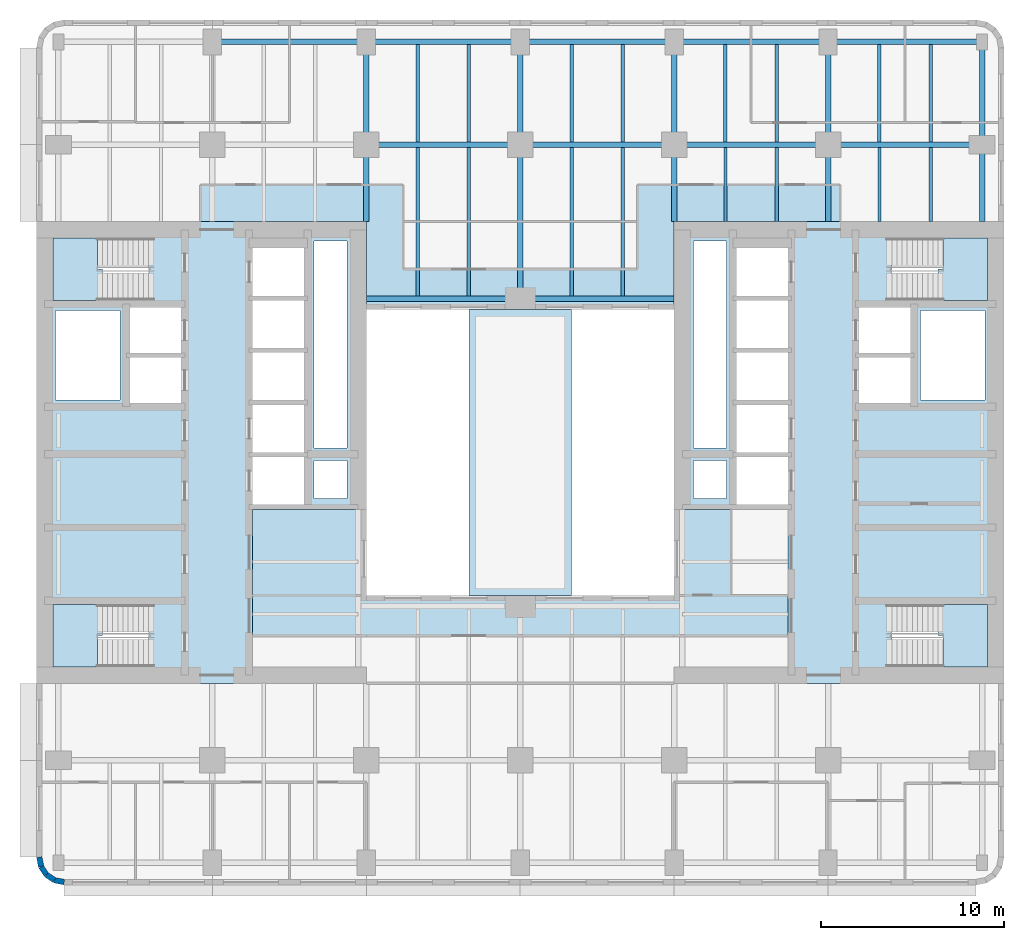
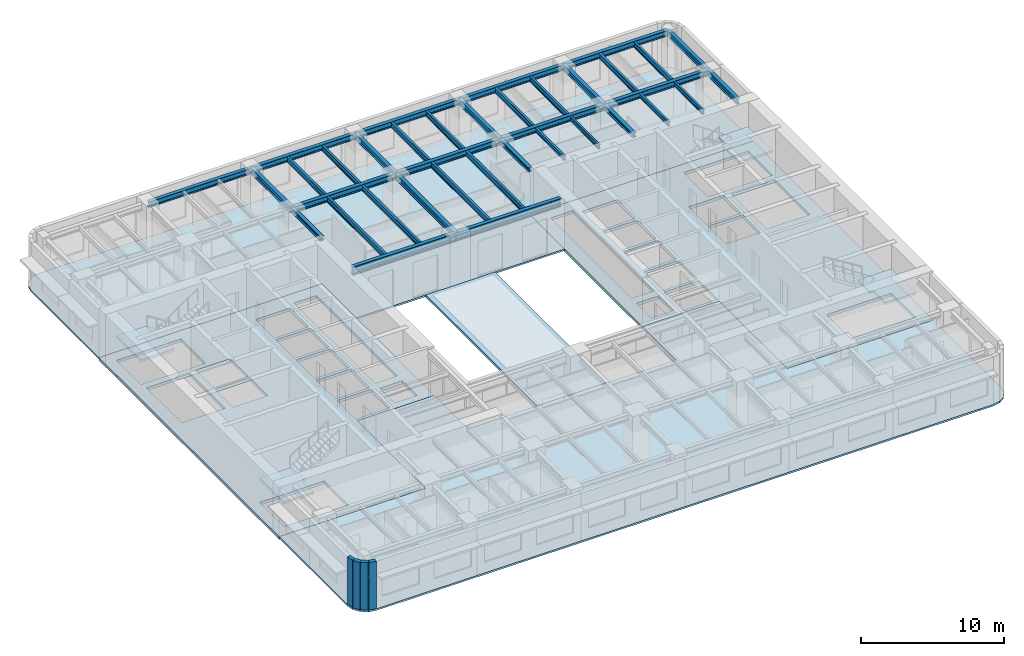
# One storey, part 2 of 14: 37 beams, 9 slabs, 4 walls, 4 elements without a shape of their own.
"""IFC4 building model written with IfcOpenShell, lengths in metres."""

from ifc_helpers import new_model, si_unit, direction, frame, frame_2d, origin, origin_2d, place, context, subcontext, project, spatial, polyline, rectangle, i_section, outline, extrude, material, layer, layer_set, material_profile, profile_set, type_object, element, aggregate, save


model = new_model("IFC4")

# Units and contexts
model_context = context("Model", 3, precision=1e-05, world=origin(), true_north=direction((0.0, 1.0)))
body_context = subcontext(model_context, "Body", "Model", "MODEL_VIEW")
ifc_project = project(units=[si_unit("LENGTHUNIT", "METRE"), si_unit("AREAUNIT", "SQUARE_METRE"), si_unit("VOLUMEUNIT", "CUBIC_METRE"), si_unit("PLANEANGLEUNIT", "RADIAN"), si_unit("MASSUNIT", "GRAM", prefix="KILO")], contexts=[model_context])

# Site, building, storey
site_placement = place(None, origin())
site = spatial("IfcSite", under=ifc_project, at=site_placement, CompositionType="ELEMENT")
building_placement = place(site_placement, origin())
building = spatial("IfcBuilding", under=site, at=building_placement, Name="Claustro Exchange Tower", CompositionType="ELEMENT")
storey_placement = place(building_placement, frame((0.0, 0.0, 100.800048828125)))
storey = spatial("IfcBuildingStorey", under=building, at=storey_placement, Name="L22", CompositionType="ELEMENT", Elevation=100.800048828125)

# Beams
ifc_material_1 = material(Name="Steel S355", Category="steel")
ifc_material_profile_1 = material_profile(ifc_material_1, i_section(OverallWidth=0.300048828125, OverallDepth=0.68994140625, WebThickness=0.014404296875, FlangeThickness=0.027099609375, FilletRadius=0.027099609375, at=origin_2d()), Name="HE 700 A")
ifc_profile_set_1 = profile_set([ifc_material_profile_1], Name="Steel S355")
beam_type_1 = type_object("IfcBeamType", Name="B13 HE 700 A light well edge girder", PredefinedType="BEAM", material=ifc_profile_set_1)
beam_1_placement = place(storey_placement, frame((16.800048828125, 33.60009765625, 3.704833984375), z_axis=(1.0, 0.0, 0.0), x_axis=(0.0, 1.0, 0.0)))
element("IfcBeam", 1, at=beam_1_placement, inside=storey, type_object=beam_type_1, Name="Beam B13 L23", PredefinedType="BEAM", context=body_context, shape_type="SweptSolid", body=[
    extrude(i_section(OverallWidth=0.300048828125, OverallDepth=0.68994140625, WebThickness=0.014404296875, FlangeThickness=0.027099609375, FilletRadius=0.027099609375, at=origin_2d()), origin(), (0.0, 0.0, 1.0), 8.39990234375),
])
beam_2_placement = place(storey_placement, frame((25.199951171875, 33.60009765625, 3.704833984375), z_axis=(1.0, 0.0, 0.0), x_axis=(0.0, 1.0, 0.0)))
element("IfcBeam", 2, at=beam_2_placement, inside=storey, type_object=beam_type_1, Name="Beam B13 L23", PredefinedType="BEAM", context=body_context, shape_type="SweptSolid", body=[
    extrude(i_section(OverallWidth=0.300048828125, OverallDepth=0.68994140625, WebThickness=0.014404296875, FlangeThickness=0.027099609375, FilletRadius=0.027099609375, at=origin_2d()), origin(), (0.0, 0.0, 1.0), 8.400146484375),
])
ifc_material_2 = material(Name="Steel S355", Category="steel")
ifc_material_profile_2 = material_profile(ifc_material_2, i_section(OverallWidth=0.169921875, OverallDepth=0.360107421875, WebThickness=0.008056640625, FlangeThickness=0.0126953125, FilletRadius=0.01806640625, at=origin_2d()), Name="IPE 360")
ifc_profile_set_2 = profile_set([ifc_material_profile_2], Name="Steel S355")
beam_type_2 = type_object("IfcBeamType", Name="B16 IPE 360 short-span beam", PredefinedType="BEAM", material=ifc_profile_set_2)
for number, where, z_axis, x_axis, name in (
    (3, (36.39990234375, 37.7900390625, 3.869873046875), (0.0, 1.0, 0.0), (-1.0, 0.0, 0.0), "Beam B16 L23"),
    (4, (39.199951171875, 37.7900390625, 3.869873046875), (0.0, 1.0, 0.0), (-1.0, 0.0, 0.0), "Beam B16 L23"),
    (5, (44.800048828125, 37.7900390625, 3.869873046875), (0.0, 1.0, 0.0), (-1.0, 0.0, 0.0), "Beam B16 L23"),
    (6, (47.60009765625, 37.7900390625, 3.869873046875), (0.0, 1.0, 0.0), (-1.0, 0.0, 0.0), "Beam B16 L23"),
):
    element("IfcBeam", number, at=place(storey_placement, frame(where, z_axis=z_axis, x_axis=x_axis)), inside=storey, type_object=beam_type_2, Name=name, PredefinedType="BEAM", context=body_context, shape_type="SweptSolid", body=[
        extrude(i_section(OverallWidth=0.169921875, OverallDepth=0.360107421875, WebThickness=0.008056640625, FlangeThickness=0.0126953125, FilletRadius=0.01806640625, at=origin_2d()), origin(), (0.0, 0.0, 1.0), 4.06005859375),
    ])
ifc_material_3 = material(Name="Steel S355", Category="steel")
ifc_material_profile_3 = material_profile(ifc_material_3, i_section(OverallWidth=0.300048828125, OverallDepth=0.360107421875, WebThickness=0.012451171875, FlangeThickness=0.0224609375, FilletRadius=0.027099609375, at=origin_2d()), Name="HE 360 B")
ifc_profile_set_3 = profile_set([ifc_material_profile_3], Name="Steel S355")
beam_type_3 = type_object("IfcBeamType", Name="B29 HE 360 B column to core link beam", PredefinedType="BEAM", material=ifc_profile_set_3)
for number, where, z_axis, x_axis, name in (
    (7, (16.800048828125, 37.800048828125, 3.869873046875), (0.0, 1.0, 0.0), (-1.0, 0.0, 0.0), "Beam B29 L23"),
    (8, (33.60009765625, 37.800048828125, 3.869873046875), (0.0, 1.0, 0.0), (-1.0, 0.0, 0.0), "Beam B29 L23"),
    (9, (42.0, 37.800048828125, 3.869873046875), (0.0, 1.0, 0.0), (-1.0, 0.0, 0.0), "Beam B29 L23"),
):
    element("IfcBeam", number, at=place(storey_placement, frame(where, z_axis=z_axis, x_axis=x_axis)), inside=storey, type_object=beam_type_3, Name=name, PredefinedType="BEAM", context=body_context, shape_type="SweptSolid", body=[
        extrude(i_section(OverallWidth=0.300048828125, OverallDepth=0.360107421875, WebThickness=0.012451171875, FlangeThickness=0.0224609375, FilletRadius=0.027099609375, at=origin_2d()), origin(), (0.0, 0.0, 1.0), 4.199951171875),
    ])
ifc_material_4 = material(Name="Steel S355", Category="steel")
ifc_material_profile_4 = material_profile(ifc_material_4, i_section(OverallWidth=0.300048828125, OverallDepth=0.5, WebThickness=0.014404296875, FlangeThickness=0.028076171875, FilletRadius=0.027099609375, at=origin_2d()), Name="HE 500 B")
ifc_profile_set_4 = profile_set([ifc_material_profile_4], Name="Steel S355")
beam_type_4 = type_object("IfcBeamType", Name="B7 HE 500 B floor girder", PredefinedType="BEAM", material=ifc_profile_set_4)
beam_3_placement = place(storey_placement, frame((16.800048828125, 42.0, 3.800048828125), z_axis=(0.0, 1.0, 0.0), x_axis=(-1.0, 0.0, 0.0)))
element("IfcBeam", 10, at=beam_3_placement, inside=storey, type_object=beam_type_4, Name="Beam B7 L23", PredefinedType="BEAM", context=body_context, shape_type="SweptSolid", body=[
    extrude(i_section(OverallWidth=0.300048828125, OverallDepth=0.5, WebThickness=0.014404296875, FlangeThickness=0.028076171875, FilletRadius=0.027099609375, at=origin_2d()), origin(), (0.0, 0.0, 1.0), 5.60009765625),
])
beam_4_placement = place(storey_placement, frame((25.199951171875, 33.60009765625, 3.800048828125), z_axis=(0.0, 1.0, 0.0), x_axis=(-1.0, 0.0, 0.0)))
element("IfcBeam", 11, at=beam_4_placement, inside=storey, type_object=beam_type_4, Name="Beam B7 L23", PredefinedType="BEAM", context=body_context, shape_type="SweptSolid", body=[
    extrude(i_section(OverallWidth=0.300048828125, OverallDepth=0.5, WebThickness=0.014404296875, FlangeThickness=0.028076171875, FilletRadius=0.027099609375, at=origin_2d()), origin(), (0.0, 0.0, 1.0), 8.39990234375),
])
for number, where, z_axis, x_axis, name in (
    (12, (25.199951171875, 42.0, 3.800048828125), (0.0, 1.0, 0.0), (-1.0, 0.0, 0.0), "Beam B7 L23"),
    (13, (33.60009765625, 42.0, 3.800048828125), (0.0, 1.0, 0.0), (-1.0, 0.0, 0.0), "Beam B7 L23"),
    (14, (42.0, 42.0, 3.800048828125), (0.0, 1.0, 0.0), (-1.0, 0.0, 0.0), "Beam B7 L23"),
):
    element("IfcBeam", number, at=place(storey_placement, frame(where, z_axis=z_axis, x_axis=x_axis)), inside=storey, type_object=beam_type_4, Name=name, PredefinedType="BEAM", context=body_context, shape_type="SweptSolid", body=[
        extrude(i_section(OverallWidth=0.300048828125, OverallDepth=0.5, WebThickness=0.014404296875, FlangeThickness=0.028076171875, FilletRadius=0.027099609375, at=origin_2d()), origin(), (0.0, 0.0, 1.0), 5.60009765625),
    ])
beam_5_placement = place(storey_placement, frame((16.800048828125, 42.0, 3.800048828125), z_axis=(1.0, 0.0, 0.0), x_axis=(0.0, 1.0, 0.0)))
element("IfcBeam", 15, at=beam_5_placement, inside=storey, type_object=beam_type_4, Name="Beam B7 L23", PredefinedType="BEAM", context=body_context, shape_type="SweptSolid", body=[
    extrude(i_section(OverallWidth=0.300048828125, OverallDepth=0.5, WebThickness=0.014404296875, FlangeThickness=0.028076171875, FilletRadius=0.027099609375, at=origin_2d()), origin(), (0.0, 0.0, 1.0), 8.39990234375),
])
beam_6_placement = place(storey_placement, frame((25.199951171875, 42.0, 3.800048828125), z_axis=(1.0, 0.0, 0.0), x_axis=(0.0, 1.0, 0.0)))
element("IfcBeam", 16, at=beam_6_placement, inside=storey, type_object=beam_type_4, Name="Beam B7 L23", PredefinedType="BEAM", context=body_context, shape_type="SweptSolid", body=[
    extrude(i_section(OverallWidth=0.300048828125, OverallDepth=0.5, WebThickness=0.014404296875, FlangeThickness=0.028076171875, FilletRadius=0.027099609375, at=origin_2d()), origin(), (0.0, 0.0, 1.0), 8.400146484375),
])
for number, where, z_axis, x_axis, name in (
    (17, (33.60009765625, 42.0, 3.800048828125), (1.0, 0.0, 0.0), (0.0, 1.0, 0.0), "Beam B7 L23"),
    (18, (42.0, 42.0, 3.800048828125), (1.0, 0.0, 0.0), (0.0, 1.0, 0.0), "Beam B7 L23"),
):
    element("IfcBeam", number, at=place(storey_placement, frame(where, z_axis=z_axis, x_axis=x_axis)), inside=storey, type_object=beam_type_4, Name=name, PredefinedType="BEAM", context=body_context, shape_type="SweptSolid", body=[
        extrude(i_section(OverallWidth=0.300048828125, OverallDepth=0.5, WebThickness=0.014404296875, FlangeThickness=0.028076171875, FilletRadius=0.027099609375, at=origin_2d()), origin(), (0.0, 0.0, 1.0), 8.39990234375),
    ])
ifc_material_5 = material(Name="Steel S355", Category="steel")
ifc_material_profile_5 = material_profile(ifc_material_5, i_section(OverallWidth=0.18994140625, OverallDepth=0.449951171875, WebThickness=0.009521484375, FlangeThickness=0.0146484375, FilletRadius=0.02099609375, at=origin_2d()), Name="IPE 450")
ifc_profile_set_5 = profile_set([ifc_material_profile_5], Name="Steel S355")
beam_type_5 = type_object("IfcBeamType", Name="B8 IPE 450 secondary beam", PredefinedType="BEAM", material=ifc_profile_set_5)
for number, where, z_axis, x_axis, name in (
    (19, (19.60009765625, 33.75, 3.824951171875), (0.0, 1.0, 0.0), (-1.0, 0.0, 0.0), "Beam B8 L23"),
    (20, (22.39990234375, 33.75, 3.824951171875), (0.0, 1.0, 0.0), (-1.0, 0.0, 0.0), "Beam B8 L23"),
):
    element("IfcBeam", number, at=place(storey_placement, frame(where, z_axis=z_axis, x_axis=x_axis)), inside=storey, type_object=beam_type_5, Name=name, PredefinedType="BEAM", context=body_context, shape_type="SweptSolid", body=[
        extrude(i_section(OverallWidth=0.18994140625, OverallDepth=0.449951171875, WebThickness=0.009521484375, FlangeThickness=0.0146484375, FilletRadius=0.02099609375, at=origin_2d()), origin(), (0.0, 0.0, 1.0), 8.10009765625),
    ])
for number, where, z_axis, x_axis, name in (
    (21, (19.60009765625, 42.14990234375, 3.824951171875), (0.0, 1.0, 0.0), (-1.0, 0.0, 0.0), "Beam B8 L23"),
    (22, (22.39990234375, 42.14990234375, 3.824951171875), (0.0, 1.0, 0.0), (-1.0, 0.0, 0.0), "Beam B8 L23"),
):
    element("IfcBeam", number, at=place(storey_placement, frame(where, z_axis=z_axis, x_axis=x_axis)), inside=storey, type_object=beam_type_5, Name=name, PredefinedType="BEAM", context=body_context, shape_type="SweptSolid", body=[
        extrude(i_section(OverallWidth=0.18994140625, OverallDepth=0.449951171875, WebThickness=0.009521484375, FlangeThickness=0.0146484375, FilletRadius=0.02099609375, at=origin_2d()), origin(), (0.0, 0.0, 1.0), 5.300048828125),
    ])
for number, where, z_axis, x_axis, name in (
    (23, (28.0, 33.75, 3.824951171875), (0.0, 1.0, 0.0), (-1.0, 0.0, 0.0), "Beam B8 L23"),
    (24, (30.800048828125, 33.75, 3.824951171875), (0.0, 1.0, 0.0), (-1.0, 0.0, 0.0), "Beam B8 L23"),
):
    element("IfcBeam", number, at=place(storey_placement, frame(where, z_axis=z_axis, x_axis=x_axis)), inside=storey, type_object=beam_type_5, Name=name, PredefinedType="BEAM", context=body_context, shape_type="SweptSolid", body=[
        extrude(i_section(OverallWidth=0.18994140625, OverallDepth=0.449951171875, WebThickness=0.009521484375, FlangeThickness=0.0146484375, FilletRadius=0.02099609375, at=origin_2d()), origin(), (0.0, 0.0, 1.0), 8.10009765625),
    ])
for number, where, z_axis, x_axis, name in (
    (25, (28.0, 42.14990234375, 3.824951171875), (0.0, 1.0, 0.0), (-1.0, 0.0, 0.0), "Beam B8 L23"),
    (26, (30.800048828125, 42.14990234375, 3.824951171875), (0.0, 1.0, 0.0), (-1.0, 0.0, 0.0), "Beam B8 L23"),
    (27, (36.39990234375, 42.14990234375, 3.824951171875), (0.0, 1.0, 0.0), (-1.0, 0.0, 0.0), "Beam B8 L23"),
    (28, (39.199951171875, 42.14990234375, 3.824951171875), (0.0, 1.0, 0.0), (-1.0, 0.0, 0.0), "Beam B8 L23"),
    (29, (44.800048828125, 42.14990234375, 3.824951171875), (0.0, 1.0, 0.0), (-1.0, 0.0, 0.0), "Beam B8 L23"),
    (30, (47.60009765625, 42.14990234375, 3.824951171875), (0.0, 1.0, 0.0), (-1.0, 0.0, 0.0), "Beam B8 L23"),
):
    element("IfcBeam", number, at=place(storey_placement, frame(where, z_axis=z_axis, x_axis=x_axis)), inside=storey, type_object=beam_type_5, Name=name, PredefinedType="BEAM", context=body_context, shape_type="SweptSolid", body=[
        extrude(i_section(OverallWidth=0.18994140625, OverallDepth=0.449951171875, WebThickness=0.009521484375, FlangeThickness=0.0146484375, FilletRadius=0.02099609375, at=origin_2d()), origin(), (0.0, 0.0, 1.0), 5.300048828125),
    ])
ifc_material_6 = material(Name="Steel S355", Category="steel")
ifc_material_profile_6 = material_profile(ifc_material_6, i_section(OverallWidth=0.300048828125, OverallDepth=0.489990234375, WebThickness=0.011962890625, FlangeThickness=0.02294921875, FilletRadius=0.027099609375, at=origin_2d()), Name="HE 500 A")
ifc_profile_set_6 = profile_set([ifc_material_profile_6], Name="Steel S355")
beam_type_6 = type_object("IfcBeamType", Name="B9 HE 500 A spandrel edge girder", PredefinedType="SPANDREL", material=ifc_profile_set_6)
beam_7_placement = place(storey_placement, frame((50.39990234375, 37.800048828125, 3.804931640625), z_axis=(0.0, 1.0, 0.0), x_axis=(-1.0, 0.0, 0.0)))
element("IfcBeam", 31, at=beam_7_placement, inside=storey, type_object=beam_type_6, Name="Beam B9 L23", PredefinedType="SPANDREL", context=body_context, shape_type="SweptSolid", body=[
    extrude(i_section(OverallWidth=0.300048828125, OverallDepth=0.489990234375, WebThickness=0.011962890625, FlangeThickness=0.02294921875, FilletRadius=0.027099609375, at=origin_2d()), origin(), (0.0, 0.0, 1.0), 4.199951171875),
])
beam_8_placement = place(storey_placement, frame((50.39990234375, 42.0, 3.804931640625), z_axis=(0.0, 1.0, 0.0), x_axis=(-1.0, 0.0, 0.0)))
element("IfcBeam", 32, at=beam_8_placement, inside=storey, type_object=beam_type_6, Name="Beam B9 L23", PredefinedType="SPANDREL", context=body_context, shape_type="SweptSolid", body=[
    extrude(i_section(OverallWidth=0.300048828125, OverallDepth=0.489990234375, WebThickness=0.011962890625, FlangeThickness=0.02294921875, FilletRadius=0.027099609375, at=origin_2d()), origin(), (0.0, 0.0, 1.0), 5.60009765625),
])
beam_9_placement = place(storey_placement, frame((8.39990234375, 47.60009765625, 3.804931640625), z_axis=(1.0, 0.0, 0.0), x_axis=(0.0, 1.0, 0.0)))
element("IfcBeam", 33, at=beam_9_placement, inside=storey, type_object=beam_type_6, Name="Beam B9 L23", PredefinedType="SPANDREL", context=body_context, shape_type="SweptSolid", body=[
    extrude(i_section(OverallWidth=0.300048828125, OverallDepth=0.489990234375, WebThickness=0.011962890625, FlangeThickness=0.02294921875, FilletRadius=0.027099609375, at=origin_2d()), origin(), (0.0, 0.0, 1.0), 8.400146484375),
])
beam_10_placement = place(storey_placement, frame((16.800048828125, 47.60009765625, 3.804931640625), z_axis=(1.0, 0.0, 0.0), x_axis=(0.0, 1.0, 0.0)))
element("IfcBeam", 34, at=beam_10_placement, inside=storey, type_object=beam_type_6, Name="Beam B9 L23", PredefinedType="SPANDREL", context=body_context, shape_type="SweptSolid", body=[
    extrude(i_section(OverallWidth=0.300048828125, OverallDepth=0.489990234375, WebThickness=0.011962890625, FlangeThickness=0.02294921875, FilletRadius=0.027099609375, at=origin_2d()), origin(), (0.0, 0.0, 1.0), 8.39990234375),
])
beam_11_placement = place(storey_placement, frame((25.199951171875, 47.60009765625, 3.804931640625), z_axis=(1.0, 0.0, 0.0), x_axis=(0.0, 1.0, 0.0)))
element("IfcBeam", 35, at=beam_11_placement, inside=storey, type_object=beam_type_6, Name="Beam B9 L23", PredefinedType="SPANDREL", context=body_context, shape_type="SweptSolid", body=[
    extrude(i_section(OverallWidth=0.300048828125, OverallDepth=0.489990234375, WebThickness=0.011962890625, FlangeThickness=0.02294921875, FilletRadius=0.027099609375, at=origin_2d()), origin(), (0.0, 0.0, 1.0), 8.400146484375),
])
for number, where, z_axis, x_axis, name in (
    (36, (33.60009765625, 47.60009765625, 3.804931640625), (1.0, 0.0, 0.0), (0.0, 1.0, 0.0), "Beam B9 L23"),
    (37, (42.0, 47.60009765625, 3.804931640625), (1.0, 0.0, 0.0), (0.0, 1.0, 0.0), "Beam B9 L23"),
):
    element("IfcBeam", number, at=place(storey_placement, frame(where, z_axis=z_axis, x_axis=x_axis)), inside=storey, type_object=beam_type_6, Name=name, PredefinedType="SPANDREL", context=body_context, shape_type="SweptSolid", body=[
        extrude(i_section(OverallWidth=0.300048828125, OverallDepth=0.489990234375, WebThickness=0.011962890625, FlangeThickness=0.02294921875, FilletRadius=0.027099609375, at=origin_2d()), origin(), (0.0, 0.0, 1.0), 8.39990234375),
    ])

# Slabs
ifc_material_7 = material(Name="Concrete HA-50 (C50/60)", Category="concrete")
ifc_layer_1 = layer(ifc_material_7, 0.14990234375)
ifc_layer_set_1 = layer_set([ifc_layer_1], Name="Concrete HA-50 (C50/60)")
slab_type_1 = type_object("IfcSlabType", Name="S2 150 composite floor slab", PredefinedType="FLOOR", material=ifc_layer_set_1)
slab_1_placement = place(storey_placement, frame((0.0, 0.0, -0.150146484375)))
element("IfcSlab", 38, at=slab_1_placement, inside=storey, type_object=slab_type_1, Name="Floor slab S2 S L22", PredefinedType="FLOOR", context=body_context, shape_type="SweptSolid", body=[
    extrude(outline(polyline([(-0.27392578125, 1.714111328125), (0.300048828125, 1.60009765625), (50.10009765625, 1.60009765625), (50.674072265625, 1.714111328125), (51.16064453125, 2.039306640625), (51.48583984375, 2.52587890625), (51.60009765625, 3.10009765625), (51.60009765625, 12.60009765625), (39.800048828125, 12.60009765625), (39.800048828125, 22.10009765625), (33.60009765625, 22.10009765625), (33.60009765625, 17.39990234375), (16.800048828125, 17.39990234375), (16.800048828125, 22.10009765625), (10.60009765625, 22.10009765625), (10.60009765625, 12.60009765625), (-1.199951171875, 12.60009765625), (-1.199951171875, 3.10009765625), (-1.085693359375, 2.52587890625), (-0.7607421875, 2.039306640625), (-0.27392578125, 1.714111328125)])), origin(), (0.0, 0.0, 1.0), 0.150146484375),
])
slab_2_placement = place(storey_placement, frame((0.0, 0.0, -0.150146484375)))
element("IfcSlab", 39, at=slab_2_placement, inside=storey, type_object=slab_type_1, Name="Floor slab S2 N L22", PredefinedType="FLOOR", context=body_context, shape_type="SweptSolid", body=[
    extrude(outline(polyline([(16.800048828125, 37.800048828125), (16.800048828125, 33.0), (33.60009765625, 33.0), (33.60009765625, 37.800048828125), (51.60009765625, 37.800048828125), (51.60009765625, 47.300048828125), (51.48583984375, 47.8740234375), (51.16064453125, 48.360595703125), (50.674072265625, 48.685791015625), (50.10009765625, 48.800048828125), (0.300048828125, 48.800048828125), (-0.27392578125, 48.685791015625), (-0.7607421875, 48.360595703125), (-1.085693359375, 47.8740234375), (-1.199951171875, 47.300048828125), (-1.199951171875, 37.800048828125), (16.800048828125, 37.800048828125)])), origin(), (0.0, 0.0, 1.0), 0.150146484375),
])
ifc_material_8 = material(Name="Concrete HA-50 (C50/60)", Category="concrete")
ifc_layer_2 = layer(ifc_material_8, 0.199951171875)
ifc_layer_set_2 = layer_set([ifc_layer_2], Name="Concrete HA-50 (C50/60)")
slab_type_2 = type_object("IfcSlabType", Name="S6 200 roof slab", PredefinedType="ROOF", material=ifc_layer_set_2)
slab_3_placement = place(storey_placement, frame((0.0, 0.0, -0.199951171875)))
element("IfcSlab", 40, at=slab_3_placement, inside=storey, type_object=slab_type_2, Name="Sky bridge roof slab S6 over L21", PredefinedType="ROOF", context=body_context, shape_type="SweptSolid", body=[
    extrude(outline(polyline([(28.0, 17.39990234375), (28.0, 33.0), (22.39990234375, 33.0), (22.39990234375, 17.39990234375), (28.0, 17.39990234375)])), origin(), (0.0, 0.0, 1.0), 0.199951171875),
])
ifc_material_9 = material(Name="Concrete HA-50 (C50/60)", Category="concrete")
ifc_layer_3 = layer(ifc_material_9, 0.25)
ifc_layer_set_3 = layer_set([ifc_layer_3], Name="Concrete HA-50 (C50/60)")
slab_type_3 = type_object("IfcSlabType", Name="S7 250 core floor slab", PredefinedType="FLOOR", material=ifc_layer_set_3)
slab_4_placement = place(storey_placement, frame((0.0, 0.0, -0.25)))
element("IfcSlab", 41, at=slab_4_placement, inside=storey, type_object=slab_type_3, Name="Core floor slab S7 W core L22", PredefinedType="FLOOR", context=body_context, shape_type="SweptSolid", body=[
    extrude(outline(polyline([(-1.199951171875, 37.800048828125), (-1.199951171875, 12.60009765625), (10.60009765625, 12.60009765625), (10.60009765625, 22.10009765625), (16.800048828125, 22.10009765625), (16.800048828125, 37.800048828125), (-1.199951171875, 37.800048828125)]), holes=[polyline([(13.949951171875, 24.75), (15.75, 24.75), (15.75, 22.699951171875), (13.949951171875, 22.699951171875), (13.949951171875, 24.75)]), polyline([(13.949951171875, 36.75), (15.75, 36.75), (15.75, 25.449951171875), (13.949951171875, 25.449951171875), (13.949951171875, 36.75)]), polyline([(13.39990234375, 24.949951171875), (13.39990234375, 22.35009765625), (10.60009765625, 22.35009765625), (10.60009765625, 24.949951171875), (13.39990234375, 24.949951171875)]), polyline([(13.39990234375, 27.800048828125), (13.39990234375, 25.199951171875), (10.60009765625, 25.199951171875), (10.60009765625, 27.800048828125), (13.39990234375, 27.800048828125)]), polyline([(13.39990234375, 30.64990234375), (13.39990234375, 28.050048828125), (10.60009765625, 28.050048828125), (10.60009765625, 30.64990234375), (13.39990234375, 30.64990234375)]), polyline([(13.39990234375, 33.5), (13.39990234375, 30.89990234375), (10.60009765625, 30.89990234375), (10.60009765625, 33.5), (13.39990234375, 33.5)]), polyline([(13.39990234375, 36.35009765625), (13.39990234375, 33.75), (10.60009765625, 33.75), (10.60009765625, 36.35009765625), (13.39990234375, 36.35009765625)]), polyline([(6.699951171875, 30.375), (6.699951171875, 27.89990234375), (3.89990234375, 27.89990234375), (3.89990234375, 30.375), (6.699951171875, 30.375)]), polyline([(6.699951171875, 33.10009765625), (6.699951171875, 30.625), (3.89990234375, 30.625), (3.89990234375, 33.10009765625), (6.699951171875, 33.10009765625)]), polyline([(-0.300048828125, 13.5), (-0.300048828125, 15.199951171875), (-0.300048828125, 16.89990234375), (4.9150390625, 16.89990234375), (4.9150390625, 15.199951171875), (4.919921875, 15.199951171875), (4.919921875, 13.5), (-0.300048828125, 13.5)]), polyline([(-0.300048828125, 36.89990234375), (4.919921875, 36.89990234375), (4.919921875, 35.199951171875), (4.9150390625, 35.199951171875), (4.9150390625, 33.5), (-0.300048828125, 33.5), (-0.300048828125, 35.199951171875), (-0.300048828125, 36.89990234375)]), polyline([(-0.14990234375, 32.949951171875), (3.35009765625, 32.949951171875), (3.35009765625, 28.050048828125), (-0.14990234375, 28.050048828125), (-0.14990234375, 32.949951171875)])]), origin(), (0.0, 0.0, 1.0), 0.25),
])
slab_5_placement = place(storey_placement, frame((0.0, 0.0, -0.25)))
element("IfcSlab", 42, at=slab_5_placement, inside=storey, type_object=slab_type_3, Name="Core floor slab S7 E core L22", PredefinedType="FLOOR", context=body_context, shape_type="SweptSolid", body=[
    extrude(outline(polyline([(51.60009765625, 37.800048828125), (33.60009765625, 37.800048828125), (33.60009765625, 22.10009765625), (39.800048828125, 22.10009765625), (39.800048828125, 12.60009765625), (51.60009765625, 12.60009765625), (51.60009765625, 37.800048828125)]), holes=[polyline([(45.47998046875, 15.199951171875), (45.485107421875, 15.199951171875), (45.485107421875, 16.89990234375), (50.699951171875, 16.89990234375), (50.699951171875, 15.199951171875), (50.699951171875, 13.5), (45.47998046875, 13.5), (45.47998046875, 15.199951171875)]), polyline([(45.47998046875, 35.199951171875), (45.47998046875, 36.89990234375), (50.699951171875, 36.89990234375), (50.699951171875, 35.199951171875), (50.699951171875, 33.5), (45.485107421875, 33.5), (45.485107421875, 35.199951171875), (45.47998046875, 35.199951171875)]), polyline([(50.550048828125, 32.949951171875), (50.550048828125, 28.050048828125), (47.050048828125, 28.050048828125), (47.050048828125, 32.949951171875), (50.550048828125, 32.949951171875)]), polyline([(43.699951171875, 33.10009765625), (46.5, 33.10009765625), (46.5, 30.625), (43.699951171875, 30.625), (43.699951171875, 33.10009765625)]), polyline([(46.5, 30.375), (46.5, 27.89990234375), (43.699951171875, 27.89990234375), (43.699951171875, 30.375), (46.5, 30.375)]), polyline([(37.0, 24.949951171875), (39.800048828125, 24.949951171875), (39.800048828125, 22.35009765625), (37.0, 22.35009765625), (37.0, 24.949951171875)]), polyline([(37.0, 30.64990234375), (39.800048828125, 30.64990234375), (39.800048828125, 28.050048828125), (37.0, 28.050048828125), (37.0, 30.64990234375)]), polyline([(39.800048828125, 27.800048828125), (39.800048828125, 25.199951171875), (37.0, 25.199951171875), (37.0, 27.800048828125), (39.800048828125, 27.800048828125)]), polyline([(39.800048828125, 33.5), (39.800048828125, 30.89990234375), (37.0, 30.89990234375), (37.0, 33.5), (39.800048828125, 33.5)]), polyline([(39.800048828125, 36.35009765625), (39.800048828125, 33.75), (37.0, 33.75), (37.0, 36.35009765625), (39.800048828125, 36.35009765625)]), polyline([(36.449951171875, 24.75), (36.449951171875, 22.699951171875), (34.64990234375, 22.699951171875), (34.64990234375, 24.75), (36.449951171875, 24.75)]), polyline([(36.449951171875, 36.75), (36.449951171875, 25.449951171875), (34.64990234375, 25.449951171875), (34.64990234375, 36.75), (36.449951171875, 36.75)])]), origin(), (0.0, 0.0, 1.0), 0.25),
])

# Stair, slab
ifc_material_10 = material(Name="Concrete HA-30 (C30/37), precast", Category="concrete")
stair_type = type_object("IfcStairType", Name="ST1 half-turn stair, 24 risers of 175", PredefinedType="HALF_TURN_STAIR", material=ifc_material_10)
stair_1_placement = place(storey_placement, origin())
stair_1 = element("IfcStair", 43, at=stair_1_placement, inside=storey, type_object=stair_type, Name="Stair STWA L22", PredefinedType="HALF_TURN_STAIR")
ifc_material_11 = material(Name="Concrete HA-30 (C30/37), precast", Category="concrete")
ifc_layer_4 = layer(ifc_material_11, 0.199951171875)
ifc_layer_set_4 = layer_set([ifc_layer_4], Name="Concrete HA-30 (C30/37), precast")
slab_type_4 = type_object("IfcSlabType", Name="S9 200 stair landing", PredefinedType="LANDING", material=ifc_layer_set_4)
slab_6_placement = place(storey_placement, frame((0.0, 0.0, 1.89990234375)))
slab_6 = element("IfcSlab", 44, at=slab_6_placement, type_object=slab_type_4, Name="STWA landing 1", PredefinedType="LANDING", context=body_context, shape_type="SweptSolid", body=[
    extrude(outline(polyline([(2.125, 13.5), (-0.300048828125, 13.5), (-0.300048828125, 16.89990234375), (2.1201171875, 16.89990234375), (2.125, 16.89990234375), (2.39990234375, 16.89990234375), (2.39990234375, 15.199951171875), (2.125, 15.199951171875), (2.125, 13.5)])), origin(), (0.0, 0.0, 1.0), 0.199951171875),
])
aggregate(stair_1, [slab_6])

stair_2_placement = place(storey_placement, origin())
stair_2 = element("IfcStair", 45, at=stair_2_placement, inside=storey, type_object=stair_type, Name="Stair STWB L22", PredefinedType="HALF_TURN_STAIR")
slab_7_placement = place(storey_placement, frame((0.0, 0.0, 1.89990234375)))
slab_7 = element("IfcSlab", 46, at=slab_7_placement, type_object=slab_type_4, Name="STWB landing 1", PredefinedType="LANDING", context=body_context, shape_type="SweptSolid", body=[
    extrude(outline(polyline([(2.39990234375, 35.199951171875), (2.39990234375, 33.5), (2.125, 33.5), (2.1201171875, 33.5), (-0.300048828125, 33.5), (-0.300048828125, 36.89990234375), (2.125, 36.89990234375), (2.125, 35.199951171875), (2.39990234375, 35.199951171875)])), origin(), (0.0, 0.0, 1.0), 0.199951171875),
])
aggregate(stair_2, [slab_7])

stair_3_placement = place(storey_placement, origin())
stair_3 = element("IfcStair", 47, at=stair_3_placement, inside=storey, type_object=stair_type, Name="Stair STEA L22", PredefinedType="HALF_TURN_STAIR")
slab_8_placement = place(storey_placement, frame((0.0, 0.0, 1.89990234375)))
slab_8 = element("IfcSlab", 48, at=slab_8_placement, type_object=slab_type_4, Name="STEA landing 1", PredefinedType="LANDING", context=body_context, shape_type="SweptSolid", body=[
    extrude(outline(polyline([(50.699951171875, 16.89990234375), (50.699951171875, 13.5), (48.27490234375, 13.5), (48.27490234375, 15.199951171875), (48.0, 15.199951171875), (48.0, 16.89990234375), (48.27490234375, 16.89990234375), (48.280029296875, 16.89990234375), (50.699951171875, 16.89990234375)])), origin(), (0.0, 0.0, 1.0), 0.199951171875),
])
aggregate(stair_3, [slab_8])

stair_4_placement = place(storey_placement, origin())
stair_4 = element("IfcStair", 49, at=stair_4_placement, inside=storey, type_object=stair_type, Name="Stair STEB L22", PredefinedType="HALF_TURN_STAIR")
slab_9_placement = place(storey_placement, frame((0.0, 0.0, 1.89990234375)))
slab_9 = element("IfcSlab", 50, at=slab_9_placement, type_object=slab_type_4, Name="STEB landing 1", PredefinedType="LANDING", context=body_context, shape_type="SweptSolid", body=[
    extrude(outline(polyline([(48.0, 33.5), (48.0, 35.199951171875), (48.27490234375, 35.199951171875), (48.27490234375, 36.89990234375), (50.699951171875, 36.89990234375), (50.699951171875, 33.5), (48.280029296875, 33.5), (48.27490234375, 33.5), (48.0, 33.5)])), origin(), (0.0, 0.0, 1.0), 0.199951171875),
])
aggregate(stair_4, [slab_9])

# Walls
ifc_material_12 = material(Name="Concrete HA-40 (C40/50), precast, white cement, acid-etched", Category="concrete")
ifc_layer_5 = layer(ifc_material_12, 0.300048828125)
ifc_layer_set_5 = layer_set([ifc_layer_5], Name="Concrete HA-40 (C40/50), precast, white cement, acid-etched")
wall_type = type_object("IfcWallType", Name="PC1 300 precast concrete pier panel", PredefinedType="SOLIDWALL", material=ifc_layer_set_5)
wall_1_placement = place(storey_placement, frame((0.314697265625, 1.75, 0.0), z_axis=(0.0, 0.0, 1.0), x_axis=(-0.980788534345, 0.195073962632, 0.0)))
element("IfcWall", 51, at=wall_1_placement, inside=storey, type_object=wall_type, Name="Precast pier panel PC1 L22", PredefinedType="SOLIDWALL", context=body_context, shape_type="SweptSolid", body=[
    extrude(rectangle(XDim=0.540771484375, YDim=0.300048828125, at=frame_2d((0.2705078125, 0.0))), origin(), (0.0, 0.0, 1.0), 4.050048828125),
])
for number, where, z_axis, x_axis, name in (
    (52, (-0.215576171875, 1.85546875, 0.0), (0.0, 0.0, 1.0), (-0.831478144188, 0.555557463938, 0.0), "Precast pier panel PC1 L22"),
    (53, (-0.652587890625, 2.1474609375, 0.0), (0.0, 0.0, 1.0), (-0.555557463938, 0.831478144188, 0.0), "Precast pier panel PC1 L22"),
):
    element("IfcWall", number, at=place(storey_placement, frame(where, z_axis=z_axis, x_axis=x_axis)), inside=storey, type_object=wall_type, Name=name, PredefinedType="SOLIDWALL", context=body_context, shape_type="SweptSolid", body=[
        extrude(rectangle(XDim=0.525634765625, YDim=0.300048828125, at=frame_2d((0.2626953125, 0.0))), origin(), (0.0, 0.0, 1.0), 4.050048828125),
    ])
wall_2_placement = place(storey_placement, frame((-0.944580078125, 2.58447265625, 0.0), z_axis=(0.0, 0.0, 1.0), x_axis=(-0.195073962632, 0.980788534345, 0.0)))
element("IfcWall", 54, at=wall_2_placement, inside=storey, type_object=wall_type, Name="Precast pier panel PC1 L22", PredefinedType="SOLIDWALL", context=body_context, shape_type="SweptSolid", body=[
    extrude(rectangle(XDim=0.540771484375, YDim=0.300048828125, at=frame_2d((0.2705078125, 0.0))), origin(), (0.0, 0.0, 1.0), 4.050048828125),
])

save(model, "model.ifc")
